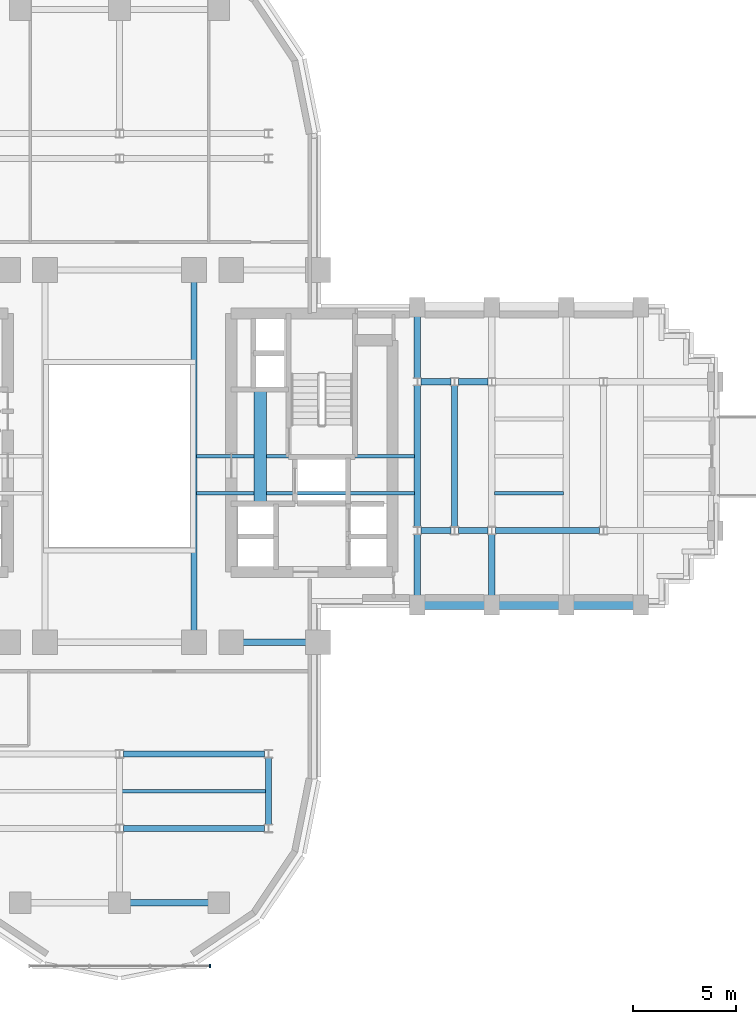
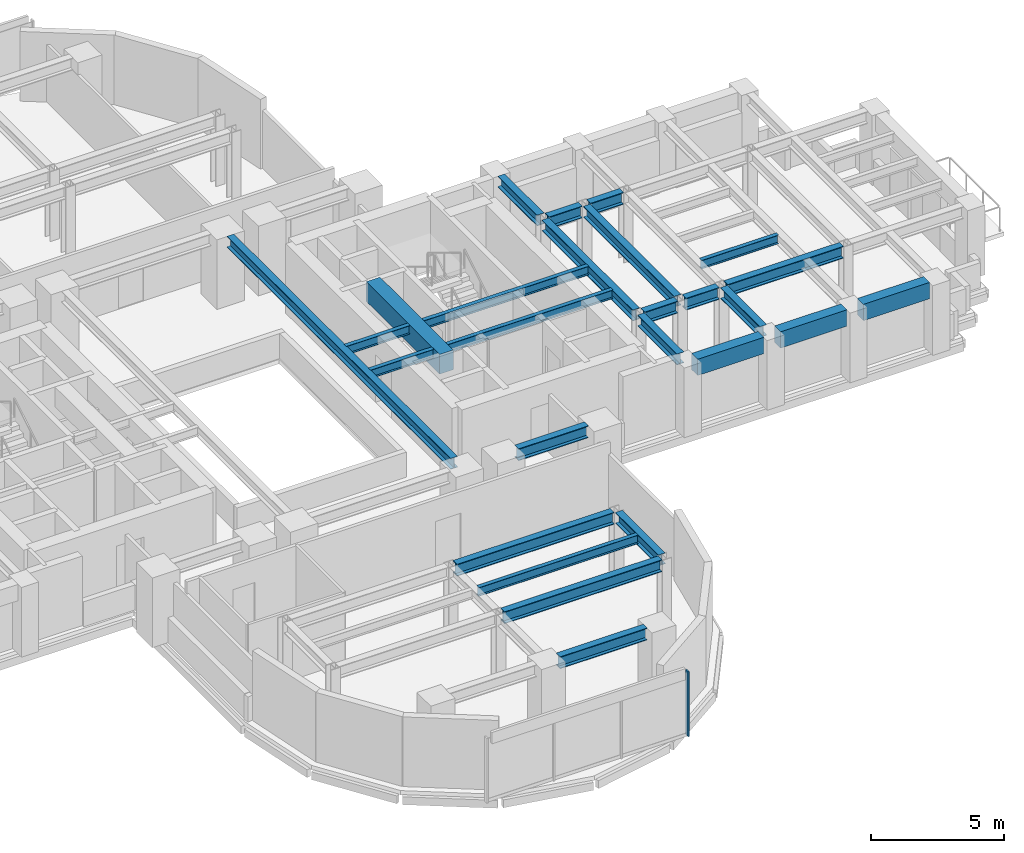
# One storey, part 5 of 14: 24 beams, 1 member, 1 element without a shape of its own.
"""IFC4 building model written with IfcOpenShell, lengths in metres."""

from ifc_helpers import new_model, si_unit, direction, frame, origin, origin_2d, place, context, subcontext, project, spatial, rectangle, i_section, extrude, source, transform, mapped, material, material_profile, profile_set, type_object, element, aggregate, save


model = new_model("IFC4")

# Units and contexts
model_context = context("Model", 3, precision=1e-05, world=origin(), true_north=direction((0.0, 1.0)))
body_context = subcontext(model_context, "Body", "Model", "MODEL_VIEW")
ifc_project = project(units=[si_unit("LENGTHUNIT", "METRE"), si_unit("AREAUNIT", "SQUARE_METRE"), si_unit("VOLUMEUNIT", "CUBIC_METRE"), si_unit("PLANEANGLEUNIT", "RADIAN"), si_unit("MASSUNIT", "GRAM", prefix="KILO")], contexts=[model_context])

# Site, building, storey
site_placement = place(None, origin())
site = spatial("IfcSite", under=ifc_project, at=site_placement, CompositionType="ELEMENT")
building_placement = place(site_placement, origin())
building = spatial("IfcBuilding", under=site, at=building_placement, Name="Keilestroom Media Tower", CompositionType="ELEMENT")
storey_placement = place(building_placement, frame((0.0, 0.0, 44.199951171875)))
storey = spatial("IfcBuildingStorey", under=building, at=storey_placement, Name="L10", CompositionType="ELEMENT", Elevation=44.199951171875)

# Beams
ifc_material_1 = material(Name="Concrete C70/85", Category="concrete")
ifc_material_profile_1 = material_profile(ifc_material_1, rectangle(XDim=0.60009765625, YDim=0.89990234375, at=origin_2d()), Name="RC 600x900")
ifc_profile_set_1 = profile_set([ifc_material_profile_1], Name="Concrete C70/85")
beam_type_1 = type_object("IfcBeamType", Name="Core-Coupling-Lintel-Beam-RC-600x900", PredefinedType="LINTEL", material=ifc_profile_set_1)
shared_shape_1 = source(origin(), body_context, "Body", "SweptSolid", [
    extrude(rectangle(XDim=0.60009765625, YDim=0.89990234375, at=origin_2d()), origin(), (0.0, 0.0, 1.0), 5.52001953125),
])
beam_1_placement = place(storey_placement, frame((6.800048828125, -2.300048828125, 2.75), z_axis=(0.0, 1.0, 0.0), x_axis=(-1.0, 0.0, 0.0)))
element("IfcBeam", 1, at=beam_1_placement, inside=storey, type_object=beam_type_1, Name="L10 Beam CLB-1 CLB-L10-E", PredefinedType="LINTEL", context=body_context, shape_type="MappedRepresentation", body=[
    mapped(shared_shape_1, transform((0.0, 0.0, 0.0), x_axis=(1.0, 0.0, 0.0), y_axis=(0.0, 1.0, 0.0), z_axis=(0.0, 0.0, 1.0), scale=1.0)),
])
ifc_material_2 = material(Name="Steel S355", Category="steel")
ifc_material_profile_2 = material_profile(ifc_material_2, i_section(OverallWidth=0.300048828125, OverallDepth=0.550048828125, WebThickness=0.012939453125, FlangeThickness=0.029052734375, at=origin_2d()), Name="HEB 550")
ifc_profile_set_2 = profile_set([ifc_material_profile_2], Name="Steel S355")
beam_type_2 = type_object("IfcBeamType", Name="Primary-Structural-Girder-HEB-550", PredefinedType="BEAM", material=ifc_profile_set_2)
shared_shape_2 = source(origin(), body_context, "Body", "SweptSolid", [
    extrude(i_section(OverallWidth=0.300048828125, OverallDepth=0.550048828125, WebThickness=0.012939453125, FlangeThickness=0.029052734375, at=origin_2d()), origin(), (0.0, 0.0, 1.0), 3.7900390625),
])
beam_2_placement = place(storey_placement, frame((0.5048828125, -21.60009765625, 2.925048828125), z_axis=(1.0, 0.0, 0.0), x_axis=(0.0, 1.0, 0.0)))
element("IfcBeam", 2, at=beam_2_placement, inside=storey, type_object=beam_type_2, Name="L10 Beam BG-5 BM-L10-EW-002", PredefinedType="BEAM", context=body_context, shape_type="MappedRepresentation", body=[
    mapped(shared_shape_2, transform((0.0, 0.0, 0.0), x_axis=(1.0, 0.0, 0.0), y_axis=(0.0, 1.0, 0.0), z_axis=(0.0, 0.0, 1.0), scale=1.0)),
])
shared_shape_3 = source(origin(), body_context, "Body", "SweptSolid", [
    extrude(i_section(OverallWidth=0.300048828125, OverallDepth=0.550048828125, WebThickness=0.012939453125, FlangeThickness=0.029052734375, at=origin_2d()), origin(), (0.0, 0.0, 1.0), 6.836181640625),
])
for number, where, z_axis, x_axis, name in (
    (3, (0.181884765625, -18.0, 2.925048828125), (1.0, 0.0, 0.0), (0.0, 1.0, 0.0), "L10 Beam BG-5 BM-L10-EW-004"),
    (4, (0.181884765625, -14.39990234375, 2.925048828125), (1.0, 0.0, 0.0), (0.0, 1.0, 0.0), "L10 Beam BG-5 BM-L10-EW-006"),
):
    element("IfcBeam", number, at=place(storey_placement, frame(where, z_axis=z_axis, x_axis=x_axis)), inside=storey, type_object=beam_type_2, Name=name, PredefinedType="BEAM", context=body_context, shape_type="MappedRepresentation", body=[
        mapped(shared_shape_3, transform((0.0, 0.0, 0.0), x_axis=(1.0, 0.0, 0.0), y_axis=(0.0, 1.0, 0.0), z_axis=(0.0, 0.0, 1.0), scale=1.0)),
    ])
shared_shape_4 = source(origin(), body_context, "Body", "SweptSolid", [
    extrude(i_section(OverallWidth=0.300048828125, OverallDepth=0.550048828125, WebThickness=0.012939453125, FlangeThickness=0.029052734375, at=origin_2d()), origin(), (0.0, 0.0, 1.0), 3.0400390625),
])
beam_3_placement = place(storey_placement, frame((5.97998046875, -9.0, 2.925048828125), z_axis=(1.0, 0.0, 0.0), x_axis=(0.0, 1.0, 0.0)))
element("IfcBeam", 5, at=beam_3_placement, inside=storey, type_object=beam_type_2, Name="L10 Beam BG-5 BM-L10-EW-011", PredefinedType="BEAM", context=body_context, shape_type="MappedRepresentation", body=[
    mapped(shared_shape_4, transform((0.0, 0.0, 0.0), x_axis=(1.0, 0.0, 0.0), y_axis=(0.0, 1.0, 0.0), z_axis=(0.0, 0.0, 1.0), scale=1.0)),
])
ifc_material_3 = material(Name="Precast concrete C40/50", Category="concrete")
ifc_material_profile_3 = material_profile(ifc_material_3, rectangle(XDim=0.449951171875, YDim=0.75, at=origin_2d()), Name="PC 450x750")
ifc_profile_set_3 = profile_set([ifc_material_profile_3], Name="Precast concrete C40/50")
beam_type_3 = type_object("IfcBeamType", Name="Perimeter-Spandrel-Beam-PC-450x750", PredefinedType="SPANDREL", material=ifc_profile_set_3)
shared_shape_5 = source(origin(), body_context, "Body", "SweptSolid", [
    extrude(rectangle(XDim=0.449951171875, YDim=0.75, at=origin_2d()), origin(), (0.0, 0.0, 1.0), 2.889892578125),
])
beam_4_placement = place(storey_placement, frame((21.955078125, -7.199951171875, 2.824951171875), z_axis=(1.0, 0.0, 0.0), x_axis=(0.0, 1.0, 0.0)))
element("IfcBeam", 6, at=beam_4_placement, inside=storey, type_object=beam_type_3, Name="L10 Beam SPB-1 BM-L10-EW-017", PredefinedType="SPANDREL", context=body_context, shape_type="MappedRepresentation", body=[
    mapped(shared_shape_5, transform((0.0, 0.0, 0.0), x_axis=(1.0, 0.0, 0.0), y_axis=(0.0, 1.0, 0.0), z_axis=(0.0, 0.0, 1.0), scale=1.0)),
])
shared_shape_6 = source(origin(), body_context, "Body", "SweptSolid", [
    extrude(rectangle(XDim=0.449951171875, YDim=0.75, at=origin_2d()), origin(), (0.0, 0.0, 1.0), 2.89013671875),
])
for number, where, z_axis, x_axis, name in (
    (7, (14.7548828125, -7.199951171875, 2.824951171875), (1.0, 0.0, 0.0), (0.0, 1.0, 0.0), "L10 Beam SPB-1 BM-L10-EW-015"),
    (8, (18.35498046875, -7.199951171875, 2.824951171875), (1.0, 0.0, 0.0), (0.0, 1.0, 0.0), "L10 Beam SPB-1 BM-L10-EW-016"),
):
    element("IfcBeam", number, at=place(storey_placement, frame(where, z_axis=z_axis, x_axis=x_axis)), inside=storey, type_object=beam_type_3, Name=name, PredefinedType="SPANDREL", context=body_context, shape_type="MappedRepresentation", body=[
        mapped(shared_shape_6, transform((0.0, 0.0, 0.0), x_axis=(1.0, 0.0, 0.0), y_axis=(0.0, 1.0, 0.0), z_axis=(0.0, 0.0, 1.0), scale=1.0)),
    ])
shared_shape_7 = source(origin(), body_context, "Body", "SweptSolid", [
    extrude(i_section(OverallWidth=0.300048828125, OverallDepth=0.550048828125, WebThickness=0.012939453125, FlangeThickness=0.029052734375, at=origin_2d()), origin(), (0.0, 0.0, 1.0), 5.0361328125),
])
beam_5_placement = place(storey_placement, frame((18.181884765625, -3.60009765625, 2.925048828125), z_axis=(1.0, 0.0, 0.0), x_axis=(0.0, 1.0, 0.0)))
element("IfcBeam", 9, at=beam_5_placement, inside=storey, type_object=beam_type_2, Name="L10 Beam BG-5 BM-L10-EW-024", PredefinedType="BEAM", context=body_context, shape_type="MappedRepresentation", body=[
    mapped(shared_shape_7, transform((0.0, 0.0, 0.0), x_axis=(1.0, 0.0, 0.0), y_axis=(0.0, 1.0, 0.0), z_axis=(0.0, 0.0, 1.0), scale=1.0)),
])
shared_shape_8 = source(origin(), body_context, "Body", "SweptSolid", [
    extrude(i_section(OverallWidth=0.300048828125, OverallDepth=0.550048828125, WebThickness=0.012939453125, FlangeThickness=0.029052734375, at=origin_2d()), origin(), (0.0, 0.0, 1.0), 1.43603515625),
])
for number, where, z_axis, x_axis, name in (
    (10, (14.58203125, -3.60009765625, 2.925048828125), (1.0, 0.0, 0.0), (0.0, 1.0, 0.0), "L10 Beam BG-5 BM-L10-EW-022"),
    (11, (16.382080078125, -3.60009765625, 2.925048828125), (1.0, 0.0, 0.0), (0.0, 1.0, 0.0), "L10 Beam BG-5 BM-L10-EW-023"),
    (12, (14.58203125, 3.60009765625, 2.925048828125), (1.0, 0.0, 0.0), (0.0, 1.0, 0.0), "L10 Beam BG-5 BM-L10-EW-030"),
    (13, (16.382080078125, 3.60009765625, 2.925048828125), (1.0, 0.0, 0.0), (0.0, 1.0, 0.0), "L10 Beam BG-5 BM-L10-EW-031"),
):
    element("IfcBeam", number, at=place(storey_placement, frame(where, z_axis=z_axis, x_axis=x_axis)), inside=storey, type_object=beam_type_2, Name=name, PredefinedType="BEAM", context=body_context, shape_type="MappedRepresentation", body=[
        mapped(shared_shape_8, transform((0.0, 0.0, 0.0), x_axis=(1.0, 0.0, 0.0), y_axis=(0.0, 1.0, 0.0), z_axis=(0.0, 0.0, 1.0), scale=1.0)),
    ])
ifc_material_profile_4 = material_profile(ifc_material_2, i_section(OverallWidth=0.300048828125, OverallDepth=0.5, WebThickness=0.012451171875, FlangeThickness=0.028076171875, at=origin_2d()), Name="HEB 500")
ifc_profile_set_4 = profile_set([ifc_material_profile_4], Name="Steel S355")
beam_type_4 = type_object("IfcBeamType", Name="Primary-Structural-Girder-HEB-500", PredefinedType="BEAM", material=ifc_profile_set_4)
shared_shape_9 = source(origin(), body_context, "Body", "SweptSolid", [
    extrude(i_section(OverallWidth=0.300048828125, OverallDepth=0.5, WebThickness=0.012451171875, FlangeThickness=0.028076171875, at=origin_2d()), origin(), (0.0, 0.0, 1.0), 6.8330078125),
])
for number, where, z_axis, x_axis, name in (
    (14, (14.39990234375, -3.41650390625, 2.949951171875), (0.0, 1.0, 0.0), (-1.0, 0.0, 0.0), "L10 Beam BG-6 BM-L10-NS-077"),
    (15, (16.199951171875, -3.41650390625, 2.949951171875), (0.0, 1.0, 0.0), (-1.0, 0.0, 0.0), "L10 Beam BG-6 BM-L10-NS-079"),
):
    element("IfcBeam", number, at=place(storey_placement, frame(where, z_axis=z_axis, x_axis=x_axis)), inside=storey, type_object=beam_type_4, Name=name, PredefinedType="BEAM", context=body_context, shape_type="MappedRepresentation", body=[
        mapped(shared_shape_9, transform((0.0, 0.0, 0.0), x_axis=(1.0, 0.0, 0.0), y_axis=(0.0, 1.0, 0.0), z_axis=(0.0, 0.0, 1.0), scale=1.0)),
    ])
shared_shape_10 = source(origin(), body_context, "Body", "SweptSolid", [
    extrude(i_section(OverallWidth=0.300048828125, OverallDepth=0.5, WebThickness=0.012451171875, FlangeThickness=0.028076171875, at=origin_2d()), origin(), (0.0, 0.0, 1.0), 2.961669921875),
])
for number, where, z_axis, x_axis, name in (
    (16, (14.39990234375, -6.7451171875, 2.949951171875), (0.0, 1.0, 0.0), (-1.0, 0.0, 0.0), "L10 Beam BG-6 BM-L10-NS-076"),
    (17, (14.39990234375, 3.783447265625, 2.949951171875), (0.0, 1.0, 0.0), (-1.0, 0.0, 0.0), "L10 Beam BG-6 BM-L10-NS-078"),
    (18, (18.0, -6.7451171875, 2.949951171875), (0.0, 1.0, 0.0), (-1.0, 0.0, 0.0), "L10 Beam BG-6 BM-L10-NS-080"),
):
    element("IfcBeam", number, at=place(storey_placement, frame(where, z_axis=z_axis, x_axis=x_axis)), inside=storey, type_object=beam_type_4, Name=name, PredefinedType="BEAM", context=body_context, shape_type="MappedRepresentation", body=[
        mapped(shared_shape_10, transform((0.0, 0.0, 0.0), x_axis=(1.0, 0.0, 0.0), y_axis=(0.0, 1.0, 0.0), z_axis=(0.0, 0.0, 1.0), scale=1.0)),
    ])
shared_shape_11 = source(origin(), body_context, "Body", "SweptSolid", [
    extrude(i_section(OverallWidth=0.300048828125, OverallDepth=0.5, WebThickness=0.012451171875, FlangeThickness=0.028076171875, at=origin_2d()), origin(), (0.0, 0.0, 1.0), 3.23291015625),
])
beam_6_placement = place(storey_placement, frame((7.199951171875, -17.81640625, 2.949951171875), z_axis=(0.0, 1.0, 0.0), x_axis=(-1.0, 0.0, 0.0)))
element("IfcBeam", 19, at=beam_6_placement, inside=storey, type_object=beam_type_4, Name="L10 Beam BG-6 BM-L10-NS-073", PredefinedType="BEAM", context=body_context, shape_type="MappedRepresentation", body=[
    mapped(shared_shape_11, transform((0.0, 0.0, 0.0), x_axis=(1.0, 0.0, 0.0), y_axis=(0.0, 1.0, 0.0), z_axis=(0.0, 0.0, 1.0), scale=1.0)),
])
shared_shape_12 = source(origin(), body_context, "Body", "SweptSolid", [
    extrude(i_section(OverallWidth=0.300048828125, OverallDepth=0.5, WebThickness=0.012451171875, FlangeThickness=0.028076171875, at=origin_2d()), origin(), (0.0, 0.0, 1.0), 16.83984375),
])
beam_7_placement = place(storey_placement, frame((3.60009765625, -8.419921875, 2.949951171875), z_axis=(0.0, 1.0, 0.0), x_axis=(-1.0, 0.0, 0.0)))
element("IfcBeam", 20, at=beam_7_placement, inside=storey, type_object=beam_type_4, Name="L10 Beam BG-6 BM-L10-NS-071", PredefinedType="BEAM", context=body_context, shape_type="MappedRepresentation", body=[
    mapped(shared_shape_12, transform((0.0, 0.0, 0.0), x_axis=(1.0, 0.0, 0.0), y_axis=(0.0, 1.0, 0.0), z_axis=(0.0, 0.0, 1.0), scale=1.0)),
])
ifc_material_profile_5 = material_profile(ifc_material_2, i_section(OverallWidth=0.179931640625, OverallDepth=0.39990234375, WebThickness=0.008544921875, FlangeThickness=0.013427734375, at=origin_2d()), Name="IPE 400")
ifc_profile_set_5 = profile_set([ifc_material_profile_5], Name="Steel S355")
beam_type_5 = type_object("IfcBeamType", Name="Secondary-Floor-Joist-IPE-400", PredefinedType="JOIST", material=ifc_profile_set_5)
shared_shape_13 = source(origin(), body_context, "Body", "SweptSolid", [
    extrude(i_section(OverallWidth=0.179931640625, OverallDepth=0.39990234375, WebThickness=0.008544921875, FlangeThickness=0.013427734375, at=origin_2d()), origin(), (0.0, 0.0, 1.0), 6.940185546875),
])
beam_8_placement = place(storey_placement, frame((0.1298828125, -16.199951171875, 3.0), z_axis=(1.0, 0.0, 0.0), x_axis=(0.0, 1.0, 0.0)))
element("IfcBeam", 21, at=beam_8_placement, inside=storey, type_object=beam_type_5, Name="L10 Beam BJ-4 JST-L10-088", PredefinedType="JOIST", context=body_context, shape_type="MappedRepresentation", body=[
    mapped(shared_shape_13, transform((0.0, 0.0, 0.0), x_axis=(1.0, 0.0, 0.0), y_axis=(0.0, 1.0, 0.0), z_axis=(0.0, 0.0, 1.0), scale=1.0)),
])
shared_shape_14 = source(origin(), body_context, "Body", "SweptSolid", [
    extrude(i_section(OverallWidth=0.179931640625, OverallDepth=0.39990234375, WebThickness=0.008544921875, FlangeThickness=0.013427734375, at=origin_2d()), origin(), (0.0, 0.0, 1.0), 3.340087890625),
])
beam_9_placement = place(storey_placement, frame((18.1298828125, -1.800048828125, 3.0), z_axis=(1.0, 0.0, 0.0), x_axis=(0.0, 1.0, 0.0)))
element("IfcBeam", 22, at=beam_9_placement, inside=storey, type_object=beam_type_5, Name="L10 Beam BJ-4 JST-L10-094", PredefinedType="JOIST", context=body_context, shape_type="MappedRepresentation", body=[
    mapped(shared_shape_14, transform((0.0, 0.0, 0.0), x_axis=(1.0, 0.0, 0.0), y_axis=(0.0, 1.0, 0.0), z_axis=(0.0, 0.0, 1.0), scale=1.0)),
])
shared_shape_15 = source(origin(), body_context, "Body", "SweptSolid", [
    extrude(i_section(OverallWidth=0.179931640625, OverallDepth=0.39990234375, WebThickness=0.008544921875, FlangeThickness=0.013427734375, at=origin_2d()), origin(), (0.0, 0.0, 1.0), 10.5400390625),
])
for number, where, z_axis, x_axis, name in (
    (23, (3.72998046875, -1.800048828125, 3.0), (1.0, 0.0, 0.0), (0.0, 1.0, 0.0), "L10 Beam BJ-4 JST-L10-093"),
    (24, (3.72998046875, 0.0, 3.0), (1.0, 0.0, 0.0), (0.0, 1.0, 0.0), "L10 Beam BJ-4 JST-L10-100"),
):
    element("IfcBeam", number, at=place(storey_placement, frame(where, z_axis=z_axis, x_axis=x_axis)), inside=storey, type_object=beam_type_5, Name=name, PredefinedType="JOIST", context=body_context, shape_type="MappedRepresentation", body=[
        mapped(shared_shape_15, transform((0.0, 0.0, 0.0), x_axis=(1.0, 0.0, 0.0), y_axis=(0.0, 1.0, 0.0), z_axis=(0.0, 0.0, 1.0), scale=1.0)),
    ])

# Curtain wall, member
ifc_material_4 = material(Name="Anodised Aluminium Alloy", Category="aluminium")
curtain_wall_type = type_object("IfcCurtainWallType", Name="Unitised-Curtain-Wall-CW-6", PredefinedType="NOTDEFINED", material=ifc_material_4)
curtain_wall_placement = place(storey_placement, origin())
curtain_wall = element("IfcCurtainWall", 25, at=curtain_wall_placement, inside=storey, type_object=curtain_wall_type, Name="L10 Curtain Wall CW-6 CW-L10-LS-1", PredefinedType="NOTDEFINED")
ifc_material_profile_6 = material_profile(ifc_material_4, rectangle(XDim=0.06494140625, YDim=0.179931640625, at=origin_2d()), Name="ALU MULLION 65x180")
ifc_profile_set_6 = profile_set([ifc_material_profile_6], Name="Anodised Aluminium Alloy")
member_type = type_object("IfcMemberType", Name="Curtain-Wall-Mullion-CW-6", PredefinedType="MULLION", material=ifc_profile_set_6)
shared_shape_16 = source(origin(), body_context, "Body", "SweptSolid", [
    extrude(rectangle(XDim=0.06494140625, YDim=0.179931640625, at=origin_2d()), origin(), (0.0, 0.0, 1.0), 2.97998046875),
])
member_placement = place(storey_placement, frame((4.367431640625, -24.64990234375, 0.0), z_axis=(0.0, 0.0, 1.0), x_axis=(1.0, 0.0, 0.0)))
member = element("IfcMember", 26, at=member_placement, type_object=member_type, Name="CW-6 Mullion 03", PredefinedType="MULLION", context=body_context, shape_type="MappedRepresentation", body=[
    mapped(shared_shape_16, transform((0.0, 0.0, 0.0), x_axis=(1.0, 0.0, 0.0), y_axis=(0.0, 1.0, 0.0), z_axis=(0.0, 0.0, 1.0), scale=1.0)),
])
aggregate(curtain_wall, [member])

save(model, "model.ifc")
